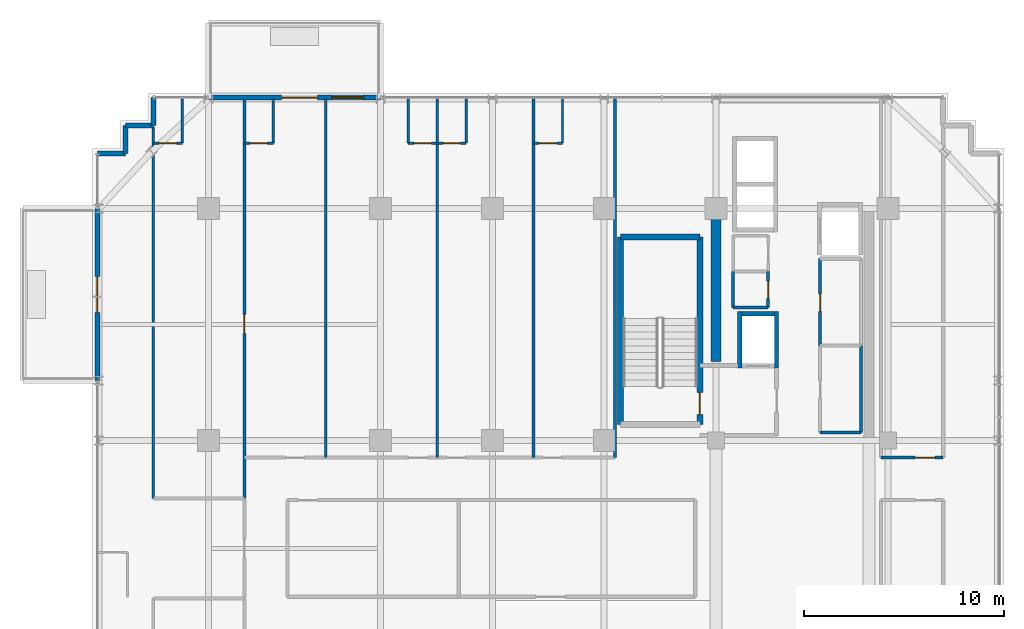
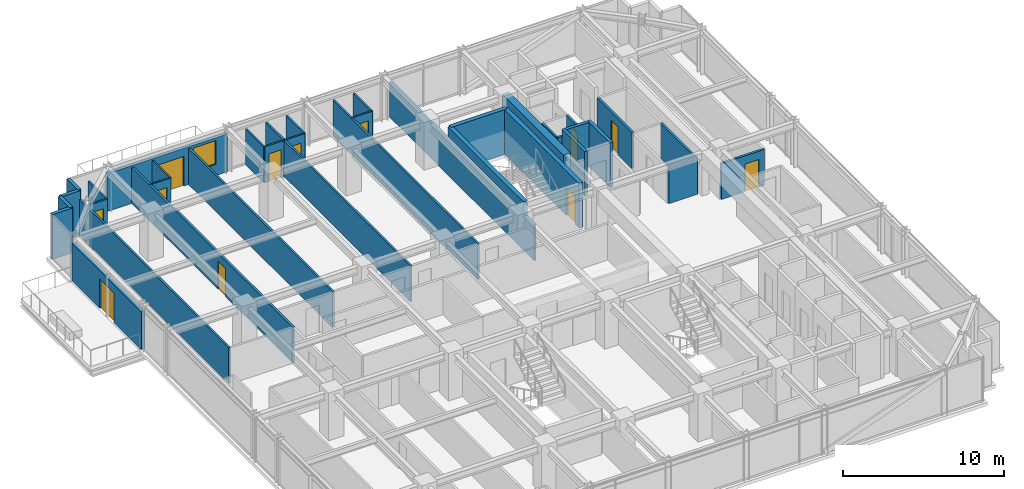
# One storey, part 28 of 32: 36 walls, 12 doors, 1 window, 13 openings.
"""IFC4 building model written with IfcOpenShell, lengths in metres."""

from ifc_helpers import new_model, si_unit, direction, frame, frame_2d, origin, place, context, subcontext, project, spatial, rectangle, extrude, source, transform, mapped, material, layer, layer_set, type_object, element, fill, save


model = new_model("IFC4")

# Units and contexts
model_context = context("Model", 3, precision=1e-05, world=origin(), true_north=direction((0.0, 1.0)))
body_context = subcontext(model_context, "Body", "Model", "MODEL_VIEW")
ifc_project = project(units=[si_unit("LENGTHUNIT", "METRE"), si_unit("AREAUNIT", "SQUARE_METRE"), si_unit("VOLUMEUNIT", "CUBIC_METRE"), si_unit("PLANEANGLEUNIT", "RADIAN"), si_unit("MASSUNIT", "GRAM", prefix="KILO")], contexts=[model_context])

# Site, building, storey
site_placement = place(None, origin())
site = spatial("IfcSite", under=ifc_project, at=site_placement, CompositionType="ELEMENT")
building_placement = place(site_placement, origin())
building = spatial("IfcBuilding", under=site, at=building_placement, Name="Nahalor Promenade Grand Hotel", CompositionType="ELEMENT")
storey_placement = place(building_placement, frame((0.0, 0.0, 152.64990234375)))
storey = spatial("IfcBuildingStorey", under=building, at=storey_placement, Name="L38", CompositionType="ELEMENT", Elevation=152.64990234375)

# Walls
ifc_material_1 = material(Name="Concrete B-60 (C50/60)", Category="concrete")
ifc_layer_1 = layer(ifc_material_1, 0.5)
ifc_layer_set_1 = layer_set([ifc_layer_1], Name="Concrete B-60 (C50/60)")
wall_type_1 = type_object("IfcWallType", Name="Wall-CoreShear-500", PredefinedType="SHEAR", material=ifc_layer_set_1)
shared_shape_1 = source(origin(), body_context, "Body", "SweptSolid", [
    extrude(rectangle(XDim=7.64990234375, YDim=0.5, at=frame_2d((3.824951171875, 0.0))), origin(), (0.0, 0.0, 1.0), 3.39013671875),
])
wall_1_placement = place(storey_placement, frame((8.39990234375, 9.35009765625, 0.0), z_axis=(0.0, 0.0, 1.0), x_axis=(0.0, 1.0, 0.0)))
element("IfcWall", 1, at=wall_1_placement, inside=storey, type_object=wall_type_1, Name="CWALL-L38-NW", PredefinedType="SHEAR", context=body_context, shape_type="MappedRepresentation", body=[
    mapped(shared_shape_1, transform((0.0, 0.0, 0.0), scale=1.0)),
])
ifc_material_2 = material(Name="Concrete B-50 (C40/50)", Category="concrete")
ifc_layer_2 = layer(ifc_material_2, 0.300048828125)
ifc_layer_set_2 = layer_set([ifc_layer_2], Name="Concrete B-50 (C40/50)")
wall_type_2 = type_object("IfcWallType", Name="Wall-ShaftShear-300", PredefinedType="SHEAR", material=ifc_layer_set_2)
shared_shape_2 = source(origin(), body_context, "Body", "SweptSolid", [
    extrude(rectangle(XDim=3.97998046875, YDim=0.300048828125, at=frame_2d((1.989990234375, 0.0))), origin(), (0.0, 0.0, 1.0), 3.39013671875),
])
wall_2_placement = place(storey_placement, frame((3.610107421875, 15.590087890625, 0.0), z_axis=(0.0, 0.0, 1.0), x_axis=(1.0, 0.0, 0.0)))
element("IfcWall", 2, at=wall_2_placement, inside=storey, type_object=wall_type_2, Name="L38 Exit Stair ST1 Shaft Wall N", PredefinedType="SHEAR", context=body_context, shape_type="MappedRepresentation", body=[
    mapped(shared_shape_2, transform((0.0, 0.0, 0.0), scale=1.0)),
])
shared_shape_3 = source(origin(), body_context, "Body", "SweptSolid", [
    extrude(rectangle(XDim=9.380126953125, YDim=0.300048828125, at=frame_2d((4.68994140625, 0.0))), origin(), (0.0, 0.0, 1.0), 3.39013671875),
])
wall_3_placement = place(storey_placement, frame((3.610107421875, 6.2099609375, 0.0), z_axis=(0.0, 0.0, 1.0), x_axis=(0.0, 1.0, 0.0)))
element("IfcWall", 3, at=wall_3_placement, inside=storey, type_object=wall_type_2, Name="L38 Exit Stair ST1 Shaft Wall W", PredefinedType="SHEAR", context=body_context, shape_type="MappedRepresentation", body=[
    mapped(shared_shape_3, transform((0.0, 0.0, 0.0), scale=1.0)),
])

# Wall, opening, door
wall_4_placement = place(storey_placement, frame((7.590087890625, 6.2099609375, 0.0), z_axis=(0.0, 0.0, 1.0), x_axis=(0.0, 1.0, 0.0)))
wall_4 = element("IfcWall", 4, at=wall_4_placement, inside=storey, type_object=wall_type_2, Name="L38 Exit Stair ST1 Shaft Wall E", PredefinedType="SHEAR", context=body_context, shape_type="MappedRepresentation", body=[
    mapped(shared_shape_3, transform((0.0, 0.0, 0.0), scale=1.0)),
])
opening_1_placement = place(wall_4_placement, frame((0.489990234375, 0.0, 0.0)))
opening_1 = element("IfcOpeningElement", 5, at=opening_1_placement, cuts=wall_4, Name="Opening D-ST1", PredefinedType="OPENING", context=body_context, shape_type="SweptSolid", body=[
    extrude(rectangle(XDim=1.10009765625, YDim=2.14990234375, at=frame_2d((0.550048828125, 1.074951171875))), frame((0.0, 0.159912109375, 0.0), z_axis=(0.0, -1.0, 0.0), x_axis=(1.0, 0.0, 0.0)), (0.0, 0.0, 1.0), 0.320068359375),
])
ifc_material_3 = material(Name="Steel S355JR", Category="steel")
door_type_1 = type_object("IfcDoorType", Name="Door-StairFire-1100", OperationType="NOTDEFINED", PredefinedType="DOOR", material=ifc_material_3)
shared_shape_4 = source(origin(), body_context, "Body", "SweptSolid", [
    extrude(rectangle(XDim=1.10009765625, YDim=2.14990234375, at=frame_2d((0.550048828125, 1.074951171875))), frame((0.0, 0.02490234375, 0.0), z_axis=(0.0, -1.0, 0.0), x_axis=(1.0, 0.0, 0.0)), (0.0, 0.0, 1.0), 0.050048828125),
])
door_1_placement = place(opening_1_placement, origin())
door_1 = element("IfcDoor", 6, at=door_1_placement, inside=storey, type_object=door_type_1, Name="DR-STAIR-ST1-L38", OperationType="SINGLE_SWING_LEFT", OverallHeight=2.14990234375, OverallWidth=1.10009765625, PredefinedType="DOOR", context=body_context, shape_type="MappedRepresentation", body=[
    mapped(shared_shape_4, transform((0.0, 0.0, 0.0), scale=1.0)),
])
fill(opening_1, door_1)

# Walls
ifc_layer_3 = layer(ifc_material_2, 0.219970703125)
ifc_layer_set_3 = layer_set([ifc_layer_3], Name="Concrete B-50 (C40/50)")
wall_type_3 = type_object("IfcWallType", Name="Wall-LiftShaft-220", PredefinedType="SHEAR", material=ifc_layer_set_3)
shared_shape_5 = source(origin(), body_context, "Body", "SweptSolid", [
    extrude(rectangle(XDim=2.820068359375, YDim=0.219970703125, at=frame_2d((1.41015625, 0.0))), origin(), (0.0, 0.0, 1.0), 3.39013671875),
])
for number, where, z_axis, x_axis, name in (
    (7, (9.580078125, 9.0400390625, 0.0), (0.0, 0.0, 1.0), (0.0, 1.0, 0.0), "L38 Lift FL1 Hoistway Wall W"),
    (8, (11.419921875, 9.0400390625, 0.0), (0.0, 0.0, 1.0), (0.0, 1.0, 0.0), "L38 Lift FL1 Hoistway Wall E"),
):
    element("IfcWall", number, at=place(storey_placement, frame(where, z_axis=z_axis, x_axis=x_axis)), inside=storey, type_object=wall_type_3, Name=name, PredefinedType="SHEAR", context=body_context, shape_type="MappedRepresentation", body=[
        mapped(shared_shape_5, transform((0.0, 0.0, 0.0), scale=1.0)),
    ])
shared_shape_6 = source(origin(), body_context, "Body", "SweptSolid", [
    extrude(rectangle(XDim=1.6201171875, YDim=0.219970703125, at=frame_2d((0.81005859375, 0.0))), origin(), (0.0, 0.0, 1.0), 3.39013671875),
])
wall_5_placement = place(storey_placement, frame((9.68994140625, 11.75, 0.0), z_axis=(0.0, 0.0, 1.0), x_axis=(1.0, 0.0, 0.0)))
element("IfcWall", 9, at=wall_5_placement, inside=storey, type_object=wall_type_3, Name="L38 Lift FL1 Hoistway Wall N", PredefinedType="SHEAR", context=body_context, shape_type="MappedRepresentation", body=[
    mapped(shared_shape_6, transform((0.0, 0.0, 0.0), scale=1.0)),
])

# Wall, openings, door, window
ifc_material_4 = material(Name="Concrete B-40 (C32/40)", Category="concrete")
ifc_layer_4 = layer(ifc_material_4, 0.260009765625)
ifc_layer_set_4 = layer_set([ifc_layer_4], Name="Concrete B-40 (C32/40)")
wall_type_4 = type_object("IfcWallType", Name="Wall-BalconyWall-260", PredefinedType="STANDARD", material=ifc_layer_set_4)
shared_shape_7 = source(origin(), body_context, "Body", "SweptSolid", [
    extrude(rectangle(XDim=8.60009765625, YDim=0.260009765625, at=frame_2d((4.300048828125, 0.0))), origin(), (0.0, 0.0, 1.0), 2.8701171875),
])
wall_6_placement = place(storey_placement, frame((-17.0, 22.56005859375, 0.0), z_axis=(0.0, 0.0, 1.0), x_axis=(1.0, 0.0, 0.0)))
wall_6 = element("IfcWall", 10, at=wall_6_placement, inside=storey, type_object=wall_type_4, Name="W-L38-BALC-N-2", PredefinedType="STANDARD", context=body_context, shape_type="MappedRepresentation", body=[
    mapped(shared_shape_7, transform((0.0, 0.0, 0.0), scale=1.0)),
])
opening_2_placement = place(wall_6_placement, frame((3.659912109375, 0.0, 0.0)))
opening_2 = element("IfcOpeningElement", 11, at=opening_2_placement, cuts=wall_6, Name="Opening D-BC1", PredefinedType="OPENING", context=body_context, shape_type="SweptSolid", body=[
    extrude(rectangle(XDim=1.800048828125, YDim=2.25, at=frame_2d((0.89990234375, 1.125))), frame((0.0, 0.139892578125, 0.0), z_axis=(0.0, -1.0, 0.0), x_axis=(1.0, 0.0, 0.0)), (0.0, 0.0, 1.0), 0.280029296875),
])
opening_3_placement = place(wall_6_placement, frame((6.159912109375, 0.0, 0.85009765625)))
opening_3 = element("IfcOpeningElement", 12, at=opening_3_placement, cuts=wall_6, Name="Opening WN-03", PredefinedType="OPENING", context=body_context, shape_type="SweptSolid", body=[
    extrude(rectangle(XDim=1.60009765625, YDim=1.800048828125, at=frame_2d((0.800048828125, 0.89990234375))), frame((0.0, 0.139892578125, 0.0), z_axis=(0.0, -1.0, 0.0), x_axis=(1.0, 0.0, 0.0)), (0.0, 0.0, 1.0), 0.280029296875),
])
ifc_material_5 = material(Name="Anodised Bronze Aluminium EN AW-6063 T6", Category="aluminium")
door_type_2 = type_object("IfcDoorType", Name="Door-BalconySlide-1800", OperationType="DOUBLE_DOOR_SLIDING", PredefinedType="DOOR", material=ifc_material_5)
shared_shape_8 = source(origin(), body_context, "Body", "SweptSolid", [
    extrude(rectangle(XDim=1.800048828125, YDim=2.25, at=frame_2d((0.89990234375, 1.125))), frame((0.0, 0.02490234375, 0.0), z_axis=(0.0, -1.0, 0.0), x_axis=(1.0, 0.0, 0.0)), (0.0, 0.0, 1.0), 0.050048828125),
])
door_2_placement = place(opening_2_placement, origin())
door_2 = element("IfcDoor", 13, at=door_2_placement, inside=storey, type_object=door_type_2, Name="DR-L38-BALC-N-2", OperationType="DOUBLE_DOOR_SLIDING", OverallHeight=2.25, OverallWidth=1.800048828125, PredefinedType="DOOR", context=body_context, shape_type="MappedRepresentation", body=[
    mapped(shared_shape_8, transform((0.0, 0.0, 0.0), scale=1.0)),
])
fill(opening_2, door_2)
ifc_material_6 = material(Name="Low-E Laminated Solar Glass", Category="glass")
window_type = type_object("IfcWindowType", Name="Win-CrownVented-1600x1800", PartitioningType="SINGLE_PANEL", PredefinedType="WINDOW", material=ifc_material_6)
shared_shape_9 = source(origin(), body_context, "Body", "SweptSolid", [
    extrude(rectangle(XDim=1.60009765625, YDim=1.800048828125, at=frame_2d((0.800048828125, 0.89990234375))), frame((0.0, 0.030029296875, 0.0), z_axis=(0.0, -1.0, 0.0), x_axis=(1.0, 0.0, 0.0)), (0.0, 0.0, 1.0), 0.06005859375),
])
window_placement = place(opening_3_placement, origin())
window = element("IfcWindow", 14, at=window_placement, inside=storey, type_object=window_type, Name="WN-L38-BALC-N-2-1", OverallHeight=1.800048828125, OverallWidth=1.60009765625, PartitioningType="SINGLE_PANEL", PredefinedType="WINDOW", context=body_context, shape_type="MappedRepresentation", body=[
    mapped(shared_shape_9, transform((0.0, 0.0, 0.0), scale=1.0)),
])
fill(opening_3, window)

# Wall, opening, door
wall_7_placement = place(storey_placement, frame((-22.56005859375, 8.39990234375, 0.0), z_axis=(0.0, 0.0, 1.0), x_axis=(0.0, 1.0, 0.0)))
wall_7 = element("IfcWall", 15, at=wall_7_placement, inside=storey, type_object=wall_type_4, Name="W-L38-BALC-W-2", PredefinedType="STANDARD", context=body_context, shape_type="MappedRepresentation", body=[
    mapped(shared_shape_7, transform((0.0, 0.0, 0.0), scale=1.0)),
])
opening_4_placement = place(wall_7_placement, frame((3.39990234375, 0.0, 0.0)))
opening_4 = element("IfcOpeningElement", 16, at=opening_4_placement, cuts=wall_7, Name="Opening D-BC1", PredefinedType="OPENING", context=body_context, shape_type="SweptSolid", body=[
    extrude(rectangle(XDim=1.800048828125, YDim=2.25, at=frame_2d((0.89990234375, 1.125))), frame((0.0, 0.139892578125, 0.0), z_axis=(0.0, -1.0, 0.0), x_axis=(1.0, 0.0, 0.0)), (0.0, 0.0, 1.0), 0.280029296875),
])
door_3_placement = place(opening_4_placement, origin())
door_3 = element("IfcDoor", 17, at=door_3_placement, inside=storey, type_object=door_type_2, Name="DR-L38-BALC-W-2", OperationType="DOUBLE_DOOR_SLIDING", OverallHeight=2.25, OverallWidth=1.800048828125, PredefinedType="DOOR", context=body_context, shape_type="MappedRepresentation", body=[
    mapped(shared_shape_8, transform((0.0, 0.0, 0.0), scale=1.0)),
])
fill(opening_4, door_3)

# Walls
ifc_layer_5 = layer(ifc_material_4, 0.25)
ifc_layer_set_5 = layer_set([ifc_layer_5], Name="Concrete B-40 (C32/40)")
wall_type_5 = type_object("IfcWallType", Name="Wall-BronzePier-250", PredefinedType="STANDARD", material=ifc_layer_set_5)
shared_shape_10 = source(origin(), body_context, "Body", "SweptSolid", [
    extrude(rectangle(XDim=1.400146484375, YDim=0.25, at=frame_2d((0.7001953125, 0.0))), origin(), (0.0, 0.0, 1.0), 3.39013671875),
])
for number, where, z_axis, x_axis, name in (
    (18, (-19.760009765625, 21.159912109375, 0.0), (0.0, 0.0, 1.0), (0.0, 1.0, 0.0), "W-L38-SR-09"),
    (19, (-22.56005859375, 19.760009765625, 0.0), (0.0, 0.0, 1.0), (1.0, 0.0, 0.0), "W-L38-SR-12"),
):
    element("IfcWall", number, at=place(storey_placement, frame(where, z_axis=z_axis, x_axis=x_axis)), inside=storey, type_object=wall_type_5, Name=name, PredefinedType="STANDARD", context=body_context, shape_type="MappedRepresentation", body=[
        mapped(shared_shape_10, transform((0.0, 0.0, 0.0), scale=1.0)),
    ])
shared_shape_11 = source(origin(), body_context, "Body", "SweptSolid", [
    extrude(rectangle(XDim=1.39990234375, YDim=0.25, at=frame_2d((0.699951171875, 0.0))), origin(), (0.0, 0.0, 1.0), 3.39013671875),
])
for number, where, z_axis, x_axis, name in (
    (20, (-21.159912109375, 21.159912109375, 0.0), (0.0, 0.0, 1.0), (1.0, 0.0, 0.0), "W-L38-SR-10"),
    (21, (-21.159912109375, 19.760009765625, 0.0), (0.0, 0.0, 1.0), (0.0, 1.0, 0.0), "W-L38-SR-11"),
):
    element("IfcWall", number, at=place(storey_placement, frame(where, z_axis=z_axis, x_axis=x_axis)), inside=storey, type_object=wall_type_5, Name=name, PredefinedType="STANDARD", context=body_context, shape_type="MappedRepresentation", body=[
        mapped(shared_shape_11, transform((0.0, 0.0, 0.0), scale=1.0)),
    ])
ifc_material_7 = material(Name="Acoustic Mineral Gypsum", Category="gypsum")
ifc_layer_6 = layer(ifc_material_7, 0.14990234375)
ifc_layer_set_6 = layer_set([ifc_layer_6], Name="Acoustic Mineral Gypsum")
wall_type_6 = type_object("IfcWallType", Name="Wall-PartService-150", PredefinedType="PARTITIONING", material=ifc_layer_set_6)
shared_shape_12 = source(origin(), body_context, "Body", "SweptSolid", [
    extrude(rectangle(XDim=1.75, YDim=0.14990234375, at=frame_2d((0.875, 0.0))), origin(), (0.0, 0.0, 1.0), 2.72998046875),
])
wall_8_placement = place(storey_placement, frame((9.25, 12.050048828125, 0.0), z_axis=(0.0, 0.0, 1.0), x_axis=(1.0, 0.0, 0.0)))
element("IfcWall", 22, at=wall_8_placement, inside=storey, type_object=wall_type_6, Name="W-L38-CK2A-S", PredefinedType="PARTITIONING", context=body_context, shape_type="MappedRepresentation", body=[
    mapped(shared_shape_12, transform((0.0, 0.0, 0.0), scale=1.0)),
])
ifc_layer_7 = layer(ifc_material_7, 0.159912109375)
ifc_layer_set_7 = layer_set([ifc_layer_7], Name="Acoustic Mineral Gypsum")
wall_type_7 = type_object("IfcWallType", Name="Wall-PartCorridor-160", PredefinedType="PARTITIONING", material=ifc_layer_set_7)
shared_shape_13 = source(origin(), body_context, "Body", "SweptSolid", [
    extrude(rectangle(XDim=2.0498046875, YDim=0.159912109375, at=frame_2d((1.02490234375, 0.0))), origin(), (0.0, 0.0, 1.0), 2.72998046875),
])
wall_9_placement = place(storey_placement, frame((13.60009765625, 5.800048828125, 0.0), z_axis=(0.0, 0.0, 1.0), x_axis=(1.0, 0.0, 0.0)))
element("IfcWall", 23, at=wall_9_placement, inside=storey, type_object=wall_type_7, Name="W-L38-FRB1A-S", PredefinedType="PARTITIONING", context=body_context, shape_type="MappedRepresentation", body=[
    mapped(shared_shape_13, transform((0.0, 0.0, 0.0), scale=1.0)),
])

# Wall, opening, door
shared_shape_14 = source(origin(), body_context, "Body", "SweptSolid", [
    extrude(rectangle(XDim=3.110107421875, YDim=0.159912109375, at=frame_2d((1.55517578125, 0.0))), origin(), (0.0, 0.0, 1.0), 2.72998046875),
])
wall_10_placement = place(storey_placement, frame((16.64990234375, 4.550048828125, 0.0), z_axis=(0.0, 0.0, 1.0), x_axis=(1.0, 0.0, 0.0)))
wall_10 = element("IfcWall", 24, at=wall_10_placement, inside=storey, type_object=wall_type_7, Name="W-L38-ENE-S", PredefinedType="PARTITIONING", context=body_context, shape_type="MappedRepresentation", body=[
    mapped(shared_shape_14, transform((0.0, 0.0, 0.0), scale=1.0)),
])
opening_5_placement = place(wall_10_placement, frame((1.700927734375, 0.0, 0.0)))
opening_5 = element("IfcOpeningElement", 25, at=opening_5_placement, cuts=wall_10, Name="Opening D-04", PredefinedType="OPENING", context=body_context, shape_type="SweptSolid", body=[
    extrude(rectangle(XDim=1.0, YDim=2.10009765625, at=frame_2d((0.5, 1.050048828125))), frame((0.0, 0.08984375, 0.0), z_axis=(0.0, -1.0, 0.0), x_axis=(1.0, 0.0, 0.0)), (0.0, 0.0, 1.0), 0.179931640625),
])
door_type_3 = type_object("IfcDoorType", Name="Door-ServiceFire-1000", OperationType="NOTDEFINED", PredefinedType="DOOR", material=ifc_material_3)
shared_shape_15 = source(origin(), body_context, "Body", "SweptSolid", [
    extrude(rectangle(XDim=1.0, YDim=2.10009765625, at=frame_2d((0.5, 1.050048828125))), frame((0.0, 0.02490234375, 0.0), z_axis=(0.0, -1.0, 0.0), x_axis=(1.0, 0.0, 0.0)), (0.0, 0.0, 1.0), 0.050048828125),
])
door_4_placement = place(opening_5_placement, origin())
door_4 = element("IfcDoor", 26, at=door_4_placement, inside=storey, type_object=door_type_3, Name="DR-L38-ENE", OperationType="SINGLE_SWING_LEFT", OverallHeight=2.10009765625, OverallWidth=1.0, PredefinedType="DOOR", context=body_context, shape_type="MappedRepresentation", body=[
    mapped(shared_shape_15, transform((0.0, 0.0, 0.0), scale=1.0)),
])
fill(opening_5, door_4)

shared_shape_16 = source(origin(), body_context, "Body", "SweptSolid", [
    extrude(rectangle(XDim=20.0, YDim=0.159912109375, at=frame_2d((10.0, 0.0))), origin(), (0.0, 0.0, 1.0), 2.72998046875),
])
wall_11_placement = place(storey_placement, frame((-15.199951171875, 2.5, 0.0), z_axis=(0.0, 0.0, 1.0), x_axis=(0.0, 1.0, 0.0)))
wall_11 = element("IfcWall", 27, at=wall_11_placement, inside=storey, type_object=wall_type_7, Name="W-L38-ZNW-E", PredefinedType="PARTITIONING", context=body_context, shape_type="MappedRepresentation", body=[
    mapped(shared_shape_16, transform((0.0, 0.0, 0.0), scale=1.0)),
])
opening_6_placement = place(wall_11_placement, frame((8.264892578125, 0.0, 0.0)))
opening_6 = element("IfcOpeningElement", 28, at=opening_6_placement, cuts=wall_11, Name="Opening D-01", PredefinedType="OPENING", context=body_context, shape_type="SweptSolid", body=[
    extrude(rectangle(XDim=0.949951171875, YDim=2.10009765625, at=frame_2d((0.47509765625, 1.050048828125))), frame((0.0, 0.08984375, 0.0), z_axis=(0.0, -1.0, 0.0), x_axis=(1.0, 0.0, 0.0)), (0.0, 0.0, 1.0), 0.179931640625),
])
ifc_material_8 = material(Name="Fire-Rated Timber Composite", Category="wood")
door_type_4 = type_object("IfcDoorType", Name="Door-GuestEntry-950", OperationType="NOTDEFINED", PredefinedType="DOOR", material=ifc_material_8)
shared_shape_17 = source(origin(), body_context, "Body", "SweptSolid", [
    extrude(rectangle(XDim=0.949951171875, YDim=2.10009765625, at=frame_2d((0.47509765625, 1.050048828125))), frame((0.0, 0.02490234375, 0.0), z_axis=(0.0, -1.0, 0.0), x_axis=(1.0, 0.0, 0.0)), (0.0, 0.0, 1.0), 0.050048828125),
])
door_5_placement = place(opening_6_placement, origin())
door_5 = element("IfcDoor", 29, at=door_5_placement, inside=storey, type_object=door_type_4, Name="DR-L38-NW0-ENT", OperationType="SINGLE_SWING_RIGHT", OverallHeight=2.10009765625, OverallWidth=0.949951171875, PredefinedType="DOOR", context=body_context, shape_type="MappedRepresentation", body=[
    mapped(shared_shape_17, transform((0.0, 0.0, 0.0), scale=1.0)),
])
fill(opening_6, door_5)

# Wall
ifc_layer_8 = layer(ifc_material_7, 0.139892578125)
ifc_layer_set_8 = layer_set([ifc_layer_8], Name="Acoustic Mineral Gypsum")
wall_type_8 = type_object("IfcWallType", Name="Wall-PartSuite-140", PredefinedType="PARTITIONING", material=ifc_layer_set_8)
shared_shape_18 = source(origin(), body_context, "Body", "SweptSolid", [
    extrude(rectangle(XDim=18.580078125, YDim=0.139892578125, at=frame_2d((9.2900390625, 0.0))), origin(), (0.0, 0.0, 1.0), 2.72998046875),
])
wall_12_placement = place(storey_placement, frame((-19.760009765625, 2.5, 0.0), z_axis=(0.0, 0.0, 1.0), x_axis=(0.0, 1.0, 0.0)))
element("IfcWall", 30, at=wall_12_placement, inside=storey, type_object=wall_type_8, Name="W-L38-ZNW-W", PredefinedType="PARTITIONING", context=body_context, shape_type="MappedRepresentation", body=[
    mapped(shared_shape_18, transform((0.0, 0.0, 0.0), scale=1.0)),
])

# Wall, opening, door
ifc_layer_9 = layer(ifc_material_7, 0.1201171875)
ifc_layer_set_9 = layer_set([ifc_layer_9], Name="Acoustic Mineral Gypsum")
wall_type_9 = type_object("IfcWallType", Name="Wall-PartBath-120", PredefinedType="PARTITIONING", material=ifc_layer_set_9)
shared_shape_19 = source(origin(), body_context, "Body", "SweptSolid", [
    extrude(rectangle(XDim=1.449951171875, YDim=0.1201171875, at=frame_2d((0.72509765625, 0.0))), origin(), (0.0, 0.0, 1.0), 2.72998046875),
])
wall_13_placement = place(storey_placement, frame((-19.760009765625, 20.280029296875, 0.0), z_axis=(0.0, 0.0, 1.0), x_axis=(1.0, 0.0, 0.0)))
wall_13 = element("IfcWall", 31, at=wall_13_placement, inside=storey, type_object=wall_type_9, Name="W-L38-NW0-BH", PredefinedType="PARTITIONING", context=body_context, shape_type="MappedRepresentation", body=[
    mapped(shared_shape_19, transform((0.0, 0.0, 0.0), scale=1.0)),
])
opening_7_placement = place(wall_13_placement, frame((0.284912109375, 0.0, 0.0)))
opening_7 = element("IfcOpeningElement", 32, at=opening_7_placement, cuts=wall_13, Name="Opening D-03", PredefinedType="OPENING", context=body_context, shape_type="SweptSolid", body=[
    extrude(rectangle(XDim=0.8798828125, YDim=2.10009765625, at=frame_2d((0.43994140625, 1.050048828125))), frame((0.0, 0.070068359375, 0.0), z_axis=(0.0, -1.0, 0.0), x_axis=(1.0, 0.0, 0.0)), (0.0, 0.0, 1.0), 0.14013671875),
])
door_type_5 = type_object("IfcDoorType", Name="Door-BathSwing-880", OperationType="NOTDEFINED", PredefinedType="DOOR", material=ifc_material_8)
shared_shape_20 = source(origin(), body_context, "Body", "SweptSolid", [
    extrude(rectangle(XDim=0.8798828125, YDim=2.10009765625, at=frame_2d((0.43994140625, 1.050048828125))), frame((0.0, 0.02490234375, 0.0), z_axis=(0.0, -1.0, 0.0), x_axis=(1.0, 0.0, 0.0)), (0.0, 0.0, 1.0), 0.050048828125),
])
door_6_placement = place(opening_7_placement, origin())
door_6 = element("IfcDoor", 33, at=door_6_placement, inside=storey, type_object=door_type_5, Name="DR-L38-NW0-BATH", OperationType="SINGLE_SWING_LEFT", OverallHeight=2.10009765625, OverallWidth=0.8798828125, PredefinedType="DOOR", context=body_context, shape_type="MappedRepresentation", body=[
    mapped(shared_shape_20, transform((0.0, 0.0, 0.0), scale=1.0)),
])
fill(opening_7, door_6)

wall_14_placement = place(storey_placement, frame((-15.199951171875, 20.280029296875, 0.0), z_axis=(0.0, 0.0, 1.0), x_axis=(1.0, 0.0, 0.0)))
wall_14 = element("IfcWall", 34, at=wall_14_placement, inside=storey, type_object=wall_type_9, Name="W-L38-N1-BH", PredefinedType="PARTITIONING", context=body_context, shape_type="MappedRepresentation", body=[
    mapped(shared_shape_19, transform((0.0, 0.0, 0.0), scale=1.0)),
])
opening_8_placement = place(wall_14_placement, frame((0.284912109375, 0.0, 0.0)))
opening_8 = element("IfcOpeningElement", 35, at=opening_8_placement, cuts=wall_14, Name="Opening D-03", PredefinedType="OPENING", context=body_context, shape_type="SweptSolid", body=[
    extrude(rectangle(XDim=0.8798828125, YDim=2.10009765625, at=frame_2d((0.43994140625, 1.050048828125))), frame((0.0, 0.070068359375, 0.0), z_axis=(0.0, -1.0, 0.0), x_axis=(1.0, 0.0, 0.0)), (0.0, 0.0, 1.0), 0.14013671875),
])
door_7_placement = place(opening_8_placement, origin())
door_7 = element("IfcDoor", 36, at=door_7_placement, inside=storey, type_object=door_type_5, Name="DR-L38-N1-BATH", OperationType="SINGLE_SWING_LEFT", OverallHeight=2.10009765625, OverallWidth=0.8798828125, PredefinedType="DOOR", context=body_context, shape_type="MappedRepresentation", body=[
    mapped(shared_shape_20, transform((0.0, 0.0, 0.0), scale=1.0)),
])
fill(opening_8, door_7)

wall_15_placement = place(storey_placement, frame((-7.009033203125, 20.280029296875, 0.0), z_axis=(0.0, 0.0, 1.0), x_axis=(1.0, 0.0, 0.0)))
wall_15 = element("IfcWall", 37, at=wall_15_placement, inside=storey, type_object=wall_type_9, Name="W-L38-N2-BH", PredefinedType="PARTITIONING", context=body_context, shape_type="MappedRepresentation", body=[
    mapped(shared_shape_19, transform((0.0, 0.0, 0.0), scale=1.0)),
])
opening_9_placement = place(wall_15_placement, frame((0.284912109375, 0.0, 0.0)))
opening_9 = element("IfcOpeningElement", 38, at=opening_9_placement, cuts=wall_15, Name="Opening D-03", PredefinedType="OPENING", context=body_context, shape_type="SweptSolid", body=[
    extrude(rectangle(XDim=0.8798828125, YDim=2.10009765625, at=frame_2d((0.43994140625, 1.050048828125))), frame((0.0, 0.070068359375, 0.0), z_axis=(0.0, -1.0, 0.0), x_axis=(1.0, 0.0, 0.0)), (0.0, 0.0, 1.0), 0.14013671875),
])
door_8_placement = place(opening_9_placement, origin())
door_8 = element("IfcDoor", 39, at=door_8_placement, inside=storey, type_object=door_type_5, Name="DR-L38-N2-BATH", OperationType="SINGLE_SWING_LEFT", OverallHeight=2.10009765625, OverallWidth=0.8798828125, PredefinedType="DOOR", context=body_context, shape_type="MappedRepresentation", body=[
    mapped(shared_shape_20, transform((0.0, 0.0, 0.0), scale=1.0)),
])
fill(opening_9, door_8)

wall_16_placement = place(storey_placement, frame((-0.739013671875, 20.280029296875, 0.0), z_axis=(0.0, 0.0, 1.0), x_axis=(1.0, 0.0, 0.0)))
wall_16 = element("IfcWall", 40, at=wall_16_placement, inside=storey, type_object=wall_type_9, Name="W-L38-N4-BH", PredefinedType="PARTITIONING", context=body_context, shape_type="MappedRepresentation", body=[
    mapped(shared_shape_19, transform((0.0, 0.0, 0.0), scale=1.0)),
])
opening_10_placement = place(wall_16_placement, frame((0.284912109375, 0.0, 0.0)))
opening_10 = element("IfcOpeningElement", 41, at=opening_10_placement, cuts=wall_16, Name="Opening D-03", PredefinedType="OPENING", context=body_context, shape_type="SweptSolid", body=[
    extrude(rectangle(XDim=0.8798828125, YDim=2.10009765625, at=frame_2d((0.43994140625, 1.050048828125))), frame((0.0, 0.070068359375, 0.0), z_axis=(0.0, -1.0, 0.0), x_axis=(1.0, 0.0, 0.0)), (0.0, 0.0, 1.0), 0.14013671875),
])
door_9_placement = place(opening_10_placement, origin())
door_9 = element("IfcDoor", 42, at=door_9_placement, inside=storey, type_object=door_type_5, Name="DR-L38-N4-BATH", OperationType="SINGLE_SWING_LEFT", OverallHeight=2.10009765625, OverallWidth=0.8798828125, PredefinedType="DOOR", context=body_context, shape_type="MappedRepresentation", body=[
    mapped(shared_shape_20, transform((0.0, 0.0, 0.0), scale=1.0)),
])
fill(opening_10, door_9)

# Walls
shared_shape_21 = source(origin(), body_context, "Body", "SweptSolid", [
    extrude(rectangle(XDim=2.219970703125, YDim=0.1201171875, at=frame_2d((1.10986328125, 0.0))), origin(), (0.0, 0.0, 1.0), 2.72998046875),
])
for number, where, z_axis, x_axis, name in (
    (43, (-18.31005859375, 20.280029296875, 0.0), (0.0, 0.0, 1.0), (0.0, 1.0, 0.0), "W-L38-NW0-BV"),
    (44, (-13.75, 20.280029296875, 0.0), (0.0, 0.0, 1.0), (0.0, 1.0, 0.0), "W-L38-N1-BV"),
    (45, (-7.009033203125, 20.280029296875, 0.0), (0.0, 0.0, 1.0), (0.0, 1.0, 0.0), "W-L38-N2-BV"),
    (46, (-4.10888671875, 20.280029296875, 0.0), (0.0, 0.0, 1.0), (0.0, 1.0, 0.0), "W-L38-N3-BV"),
    (47, (0.7109375, 20.280029296875, 0.0), (0.0, 0.0, 1.0), (0.0, 1.0, 0.0), "W-L38-N4-BV"),
):
    element("IfcWall", number, at=place(storey_placement, frame(where, z_axis=z_axis, x_axis=x_axis)), inside=storey, type_object=wall_type_9, Name=name, PredefinedType="PARTITIONING", context=body_context, shape_type="MappedRepresentation", body=[
        mapped(shared_shape_21, transform((0.0, 0.0, 0.0), scale=1.0)),
    ])
shared_shape_22 = source(origin(), body_context, "Body", "SweptSolid", [
    extrude(rectangle(XDim=17.949951171875, YDim=0.139892578125, at=frame_2d((8.97509765625, 0.0))), origin(), (0.0, 0.0, 1.0), 2.72998046875),
])
for number, where, z_axis, x_axis, name in (
    (48, (3.340087890625, 4.550048828125, 0.0), (0.0, 0.0, 1.0), (0.0, 1.0, 0.0), "W-L38-NW-ENDE"),
    (49, (-11.1298828125, 4.550048828125, 0.0), (0.0, 0.0, 1.0), (0.0, 1.0, 0.0), "W-L38-NP-1"),
    (50, (-5.55908203125, 4.550048828125, 0.0), (0.0, 0.0, 1.0), (0.0, 1.0, 0.0), "W-L38-NP-2"),
    (51, (-0.739013671875, 4.550048828125, 0.0), (0.0, 0.0, 1.0), (0.0, 1.0, 0.0), "W-L38-NP-3"),
):
    element("IfcWall", number, at=place(storey_placement, frame(where, z_axis=z_axis, x_axis=x_axis)), inside=storey, type_object=wall_type_8, Name=name, PredefinedType="PARTITIONING", context=body_context, shape_type="MappedRepresentation", body=[
        mapped(shared_shape_22, transform((0.0, 0.0, 0.0), scale=1.0)),
    ])

# Wall, opening, door
shared_shape_23 = source(origin(), body_context, "Body", "SweptSolid", [
    extrude(rectangle(XDim=1.4501953125, YDim=0.1201171875, at=frame_2d((0.72509765625, 0.0))), origin(), (0.0, 0.0, 1.0), 2.72998046875),
])
wall_17_placement = place(storey_placement, frame((-5.55908203125, 20.280029296875, 0.0), z_axis=(0.0, 0.0, 1.0), x_axis=(1.0, 0.0, 0.0)))
wall_17 = element("IfcWall", 52, at=wall_17_placement, inside=storey, type_object=wall_type_9, Name="W-L38-N3-BH", PredefinedType="PARTITIONING", context=body_context, shape_type="MappedRepresentation", body=[
    mapped(shared_shape_23, transform((0.0, 0.0, 0.0), scale=1.0)),
])
opening_11_placement = place(wall_17_placement, frame((0.284912109375, 0.0, 0.0)))
opening_11 = element("IfcOpeningElement", 53, at=opening_11_placement, cuts=wall_17, Name="Opening D-03", PredefinedType="OPENING", context=body_context, shape_type="SweptSolid", body=[
    extrude(rectangle(XDim=0.8798828125, YDim=2.10009765625, at=frame_2d((0.43994140625, 1.050048828125))), frame((0.0, 0.070068359375, 0.0), z_axis=(0.0, -1.0, 0.0), x_axis=(1.0, 0.0, 0.0)), (0.0, 0.0, 1.0), 0.14013671875),
])
door_10_placement = place(opening_11_placement, origin())
door_10 = element("IfcDoor", 54, at=door_10_placement, inside=storey, type_object=door_type_5, Name="DR-L38-N3-BATH", OperationType="SINGLE_SWING_LEFT", OverallHeight=2.10009765625, OverallWidth=0.8798828125, PredefinedType="DOOR", context=body_context, shape_type="MappedRepresentation", body=[
    mapped(shared_shape_20, transform((0.0, 0.0, 0.0), scale=1.0)),
])
fill(opening_11, door_10)

# Wall
shared_shape_24 = source(origin(), body_context, "Body", "SweptSolid", [
    extrude(rectangle(XDim=1.800048828125, YDim=0.14990234375, at=frame_2d((0.89990234375, 0.0))), origin(), (0.0, 0.0, 1.0), 2.72998046875),
])
wall_18_placement = place(storey_placement, frame((9.25, 12.050048828125, 0.0), z_axis=(0.0, 0.0, 1.0), x_axis=(0.0, 1.0, 0.0)))
element("IfcWall", 55, at=wall_18_placement, inside=storey, type_object=wall_type_6, Name="W-L38-CK2A-W", PredefinedType="PARTITIONING", context=body_context, shape_type="MappedRepresentation", body=[
    mapped(shared_shape_24, transform((0.0, 0.0, 0.0), scale=1.0)),
])

# Wall, opening, door
wall_19_placement = place(storey_placement, frame((11.0, 12.050048828125, 0.0), z_axis=(0.0, 0.0, 1.0), x_axis=(0.0, 1.0, 0.0)))
wall_19 = element("IfcWall", 56, at=wall_19_placement, inside=storey, type_object=wall_type_6, Name="W-L38-CK2A-E", PredefinedType="PARTITIONING", context=body_context, shape_type="MappedRepresentation", body=[
    mapped(shared_shape_24, transform((0.0, 0.0, 0.0), scale=1.0)),
])
opening_12_placement = place(wall_19_placement, frame((0.4599609375, 0.0, 0.0)))
opening_12 = element("IfcOpeningElement", 57, at=opening_12_placement, cuts=wall_19, Name="Opening D-03", PredefinedType="OPENING", context=body_context, shape_type="SweptSolid", body=[
    extrude(rectangle(XDim=0.8798828125, YDim=2.10009765625, at=frame_2d((0.43994140625, 1.050048828125))), frame((0.0, 0.0849609375, 0.0), z_axis=(0.0, -1.0, 0.0), x_axis=(1.0, 0.0, 0.0)), (0.0, 0.0, 1.0), 0.169921875),
])
door_11_placement = place(opening_12_placement, origin())
door_11 = element("IfcDoor", 58, at=door_11_placement, inside=storey, type_object=door_type_5, Name="DR-L38-CK2A", OperationType="SINGLE_SWING_LEFT", OverallHeight=2.10009765625, OverallWidth=0.8798828125, PredefinedType="DOOR", context=body_context, shape_type="MappedRepresentation", body=[
    mapped(shared_shape_20, transform((0.0, 0.0, 0.0), scale=1.0)),
])
fill(opening_12, door_11)

# Wall
shared_shape_25 = source(origin(), body_context, "Body", "SweptSolid", [
    extrude(rectangle(XDim=4.349853515625, YDim=0.159912109375, at=frame_2d((2.1748046875, 0.0))), origin(), (0.0, 0.0, 1.0), 2.72998046875),
])
wall_20_placement = place(storey_placement, frame((15.64990234375, 5.800048828125, 0.0), z_axis=(0.0, 0.0, 1.0), x_axis=(0.0, 1.0, 0.0)))
element("IfcWall", 59, at=wall_20_placement, inside=storey, type_object=wall_type_7, Name="W-L38-FRB1A-E", PredefinedType="PARTITIONING", context=body_context, shape_type="MappedRepresentation", body=[
    mapped(shared_shape_25, transform((0.0, 0.0, 0.0), scale=1.0)),
])

# Wall, opening, door
shared_shape_26 = source(origin(), body_context, "Body", "SweptSolid", [
    extrude(rectangle(XDim=4.35009765625, YDim=0.159912109375, at=frame_2d((2.175048828125, 0.0))), origin(), (0.0, 0.0, 1.0), 2.72998046875),
])
wall_21_placement = place(storey_placement, frame((13.60009765625, 10.14990234375, 0.0), z_axis=(0.0, 0.0, 1.0), x_axis=(0.0, 1.0, 0.0)))
wall_21 = element("IfcWall", 60, at=wall_21_placement, inside=storey, type_object=wall_type_7, Name="W-L38-FRB1B-W", PredefinedType="PARTITIONING", context=body_context, shape_type="MappedRepresentation", body=[
    mapped(shared_shape_26, transform((0.0, 0.0, 0.0), scale=1.0)),
])
opening_13_placement = place(wall_21_placement, frame((1.7099609375, 0.0, 0.0)))
opening_13 = element("IfcOpeningElement", 61, at=opening_13_placement, cuts=wall_21, Name="Opening D-03", PredefinedType="OPENING", context=body_context, shape_type="SweptSolid", body=[
    extrude(rectangle(XDim=0.8798828125, YDim=2.10009765625, at=frame_2d((0.43994140625, 1.050048828125))), frame((0.0, 0.08984375, 0.0), z_axis=(0.0, -1.0, 0.0), x_axis=(1.0, 0.0, 0.0)), (0.0, 0.0, 1.0), 0.179931640625),
])
door_12_placement = place(opening_13_placement, frame((0.8798828125, 0.0, 0.0), z_axis=(0.0, 0.0, 1.0), x_axis=(-1.0, 0.0, 0.0)))
door_12 = element("IfcDoor", 62, at=door_12_placement, inside=storey, type_object=door_type_5, Name="DR-L38-FRB1B", OperationType="SINGLE_SWING_RIGHT", OverallHeight=2.10009765625, OverallWidth=0.8798828125, PredefinedType="DOOR", context=body_context, shape_type="MappedRepresentation", body=[
    mapped(shared_shape_20, transform((0.0, 0.0, 0.0), scale=1.0)),
])
fill(opening_13, door_12)

save(model, "model.ifc")
